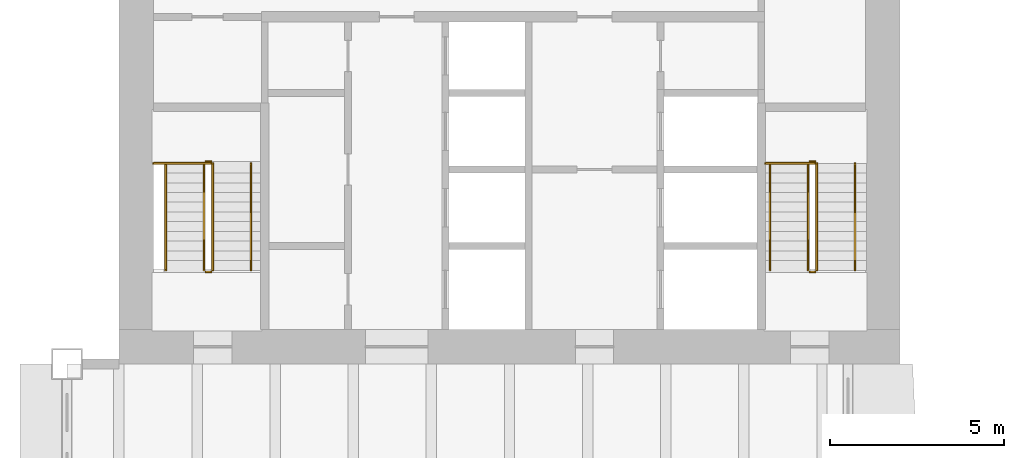
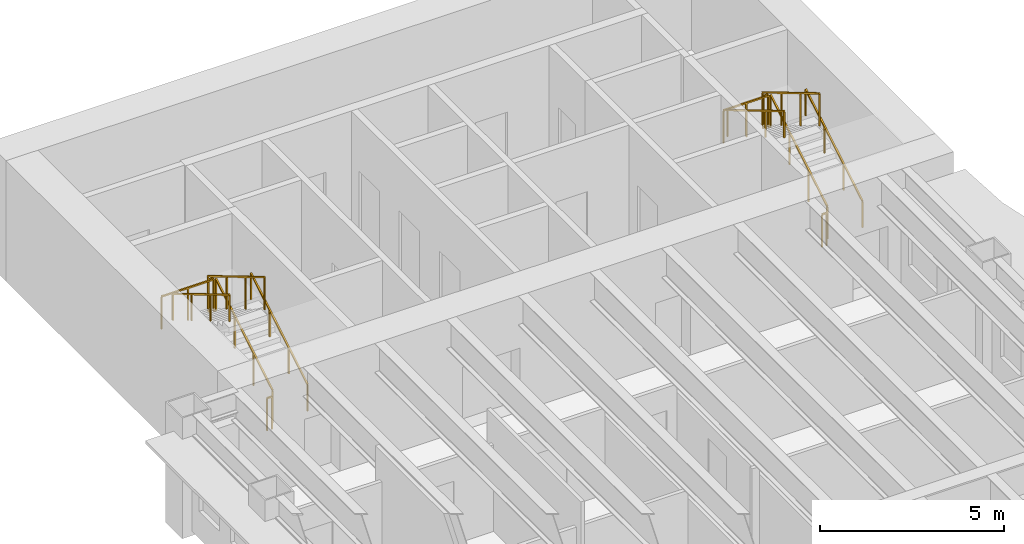
# One storey, part 16 of 16: 14 railings.
"""IFC4 building model written with IfcOpenShell, lengths in metres."""

from ifc_helpers import new_model, si_unit, direction, frame, origin, origin_2d, place, context, subcontext, project, spatial, rectangle, extrude, material, type_object, element, save


model = new_model("IFC4")

# Units and contexts
model_context = context("Model", 3, precision=1e-05, world=origin(), true_north=direction((0.0, 1.0)))
body_context = subcontext(model_context, "Body", "Model", "MODEL_VIEW")
ifc_project = project(units=[si_unit("LENGTHUNIT", "METRE"), si_unit("AREAUNIT", "SQUARE_METRE"), si_unit("VOLUMEUNIT", "CUBIC_METRE"), si_unit("PLANEANGLEUNIT", "RADIAN"), si_unit("MASSUNIT", "GRAM", prefix="KILO")], contexts=[model_context])

# Site, building, storey
site_placement = place(None, origin())
site = spatial("IfcSite", under=ifc_project, at=site_placement, CompositionType="ELEMENT")
building_placement = place(site_placement, origin())
building = spatial("IfcBuilding", under=site, at=building_placement, Name="Sennacour Bend Tower", CompositionType="ELEMENT")
storey_placement = place(building_placement, frame((0.0, 0.0, 167.0)))
storey = spatial("IfcBuildingStorey", under=building, at=storey_placement, Name="L38", CompositionType="ELEMENT", Elevation=167.0)

# Railings
ifc_material = material(Name="Stainless steel", Category="steel")
railing_type_1 = type_object("IfcRailingType", Name="RL-GUARD-1100", PredefinedType="GUARDRAIL", material=ifc_material)
railing_1_placement = place(storey_placement, frame((2.699951171875, 38.699951171875, 0.166748046875)))
element("IfcRailing", 1, at=railing_1_placement, inside=storey, type_object=railing_type_1, Name="L38 SB1 stair guard 1", PredefinedType="GUARDRAIL", context=body_context, shape_type="SweptSolid", body=[
    extrude(rectangle(XDim=0.048095703125, YDim=0.048095703125, at=origin_2d()), frame((0.0, 0.0, 1.076171875), z_axis=(0.0, 0.859308565015, 0.511457515432), x_axis=(-1.0, 0.0, 0.0)), (0.0, 0.0, 1.0), 3.58447265625),
    extrude(rectangle(XDim=0.0419921875, YDim=0.0419921875, at=origin_2d()), origin(), (0.0, 0.0, 1.0), 1.052001953125),
    extrude(rectangle(XDim=0.0419921875, YDim=0.0419921875, at=origin_2d()), frame((0.0, 1.026611328125, 0.611083984375)), (0.0, 0.0, 1.0), 1.052001953125),
    extrude(rectangle(XDim=0.0419921875, YDim=0.0419921875, at=origin_2d()), frame((0.0, 2.053466796875, 1.22216796875)), (0.0, 0.0, 1.0), 1.052001953125),
    extrude(rectangle(XDim=0.0419921875, YDim=0.0419921875, at=origin_2d()), frame((0.0, 3.080078125, 1.833251953125)), (0.0, 0.0, 1.0), 1.052001953125),
])
railing_2_placement = place(storey_placement, frame((2.64990234375, 41.830078125, 2.0)))
element("IfcRailing", 2, at=railing_2_placement, inside=storey, type_object=railing_type_1, Name="L38 SB1 stair guard 2", PredefinedType="GUARDRAIL", context=body_context, shape_type="SweptSolid", body=[
    extrude(rectangle(XDim=0.048095703125, YDim=0.048095703125, at=origin_2d()), frame((0.0, 0.0, 1.076171875), z_axis=(-1.0, 0.0, 0.0), x_axis=(0.0, -1.0, 0.0)), (0.0, 0.0, 1.0), 0.14990234375),
    extrude(rectangle(XDim=0.0419921875, YDim=0.0419921875, at=origin_2d()), origin(), (0.0, 0.0, 1.0), 1.052001953125),
    extrude(rectangle(XDim=0.0419921875, YDim=0.0419921875, at=origin_2d()), frame((-0.14990234375, 0.0, 0.0)), (0.0, 0.0, 1.0), 1.052001953125),
])
railing_3_placement = place(storey_placement, frame((2.449951171875, 41.780029296875, 2.166748046875)))
element("IfcRailing", 3, at=railing_3_placement, inside=storey, type_object=railing_type_1, Name="L38 SB1 stair guard 4", PredefinedType="GUARDRAIL", context=body_context, shape_type="SweptSolid", body=[
    extrude(rectangle(XDim=0.048095703125, YDim=0.048095703125, at=origin_2d()), frame((0.0, 0.0, 1.076171875), z_axis=(0.0, -0.859308565015, 0.511457515432), x_axis=(1.0, 0.0, 0.0)), (0.0, 0.0, 1.0), 3.58447265625),
    extrude(rectangle(XDim=0.0419921875, YDim=0.0419921875, at=origin_2d()), origin(), (0.0, 0.0, 1.0), 1.052001953125),
    extrude(rectangle(XDim=0.0419921875, YDim=0.0419921875, at=origin_2d()), frame((0.0, -1.026611328125, 0.611083984375)), (0.0, 0.0, 1.0), 1.052001953125),
    extrude(rectangle(XDim=0.0419921875, YDim=0.0419921875, at=origin_2d()), frame((0.0, -2.053466796875, 1.22216796875)), (0.0, 0.0, 1.0), 1.052001953125),
    extrude(rectangle(XDim=0.0419921875, YDim=0.0419921875, at=origin_2d()), frame((0.0, -3.080078125, 1.833251953125)), (0.0, 0.0, 1.0), 1.052001953125),
])
railing_4_placement = place(storey_placement, frame((2.64990234375, 38.64990234375, 0.0)))
element("IfcRailing", 4, at=railing_4_placement, inside=storey, type_object=railing_type_1, Name="L38 SB1 stair guard 5", PredefinedType="GUARDRAIL", context=body_context, shape_type="SweptSolid", body=[
    extrude(rectangle(XDim=0.048095703125, YDim=0.048095703125, at=origin_2d()), frame((0.0, 0.0, 1.076171875), z_axis=(-1.0, 0.0, 0.0), x_axis=(0.0, -1.0, 0.0)), (0.0, 0.0, 1.0), 0.14990234375),
    extrude(rectangle(XDim=0.0419921875, YDim=0.0419921875, at=origin_2d()), origin(), (0.0, 0.0, 1.0), 1.052001953125),
    extrude(rectangle(XDim=0.0419921875, YDim=0.0419921875, at=origin_2d()), frame((-0.14990234375, 0.0, 0.0)), (0.0, 0.0, 1.0), 1.052001953125),
])
railing_5_placement = place(storey_placement, frame((2.64990234375, 41.780029296875, 2.0)))
element("IfcRailing", 5, at=railing_5_placement, inside=storey, type_object=railing_type_1, Name="L38 SB1 landing edge guard 63", PredefinedType="GUARDRAIL", context=body_context, shape_type="SweptSolid", body=[
    extrude(rectangle(XDim=0.048095703125, YDim=0.048095703125, at=origin_2d()), frame((0.0, 0.0, 1.076171875), z_axis=(-1.0, 0.0, 0.0), x_axis=(0.0, -1.0, 0.0)), (0.0, 0.0, 1.0), 1.64990234375),
    extrude(rectangle(XDim=0.0419921875, YDim=0.0419921875, at=origin_2d()), origin(), (0.0, 0.0, 1.0), 1.052001953125),
    extrude(rectangle(XDim=0.0419921875, YDim=0.0419921875, at=origin_2d()), frame((-0.824951171875, 0.0, 0.0)), (0.0, 0.0, 1.0), 1.052001953125),
    extrude(rectangle(XDim=0.0419921875, YDim=0.0419921875, at=origin_2d()), frame((-1.64990234375, 0.0, 0.0)), (0.0, 0.0, 1.0), 1.052001953125),
])
railing_6_placement = place(storey_placement, frame((20.10009765625, 38.699951171875, 0.166748046875)))
element("IfcRailing", 6, at=railing_6_placement, inside=storey, type_object=railing_type_1, Name="L38 SB2 stair guard 1", PredefinedType="GUARDRAIL", context=body_context, shape_type="SweptSolid", body=[
    extrude(rectangle(XDim=0.048095703125, YDim=0.048095703125, at=origin_2d()), frame((0.0, 0.0, 1.076171875), z_axis=(0.0, 0.859308565015, 0.511457515432), x_axis=(-1.0, 0.0, 0.0)), (0.0, 0.0, 1.0), 3.58447265625),
    extrude(rectangle(XDim=0.0419921875, YDim=0.0419921875, at=origin_2d()), origin(), (0.0, 0.0, 1.0), 1.052001953125),
    extrude(rectangle(XDim=0.0419921875, YDim=0.0419921875, at=origin_2d()), frame((0.0, 1.026611328125, 0.611083984375)), (0.0, 0.0, 1.0), 1.052001953125),
    extrude(rectangle(XDim=0.0419921875, YDim=0.0419921875, at=origin_2d()), frame((0.0, 2.053466796875, 1.22216796875)), (0.0, 0.0, 1.0), 1.052001953125),
    extrude(rectangle(XDim=0.0419921875, YDim=0.0419921875, at=origin_2d()), frame((0.0, 3.080078125, 1.833251953125)), (0.0, 0.0, 1.0), 1.052001953125),
])
railing_7_placement = place(storey_placement, frame((20.050048828125, 41.830078125, 2.0)))
element("IfcRailing", 7, at=railing_7_placement, inside=storey, type_object=railing_type_1, Name="L38 SB2 stair guard 2", PredefinedType="GUARDRAIL", context=body_context, shape_type="SweptSolid", body=[
    extrude(rectangle(XDim=0.048095703125, YDim=0.048095703125, at=origin_2d()), frame((0.0, 0.0, 1.076171875), z_axis=(-1.0, 0.0, 0.0), x_axis=(0.0, -1.0, 0.0)), (0.0, 0.0, 1.0), 0.150146484375),
    extrude(rectangle(XDim=0.0419921875, YDim=0.0419921875, at=origin_2d()), origin(), (0.0, 0.0, 1.0), 1.052001953125),
    extrude(rectangle(XDim=0.0419921875, YDim=0.0419921875, at=origin_2d()), frame((-0.150146484375, 0.0, 0.0)), (0.0, 0.0, 1.0), 1.052001953125),
])
railing_8_placement = place(storey_placement, frame((19.85009765625, 41.780029296875, 2.166748046875)))
element("IfcRailing", 8, at=railing_8_placement, inside=storey, type_object=railing_type_1, Name="L38 SB2 stair guard 4", PredefinedType="GUARDRAIL", context=body_context, shape_type="SweptSolid", body=[
    extrude(rectangle(XDim=0.048095703125, YDim=0.048095703125, at=origin_2d()), frame((0.0, 0.0, 1.076171875), z_axis=(0.0, -0.859308565015, 0.511457515432), x_axis=(1.0, 0.0, 0.0)), (0.0, 0.0, 1.0), 3.58447265625),
    extrude(rectangle(XDim=0.0419921875, YDim=0.0419921875, at=origin_2d()), origin(), (0.0, 0.0, 1.0), 1.052001953125),
    extrude(rectangle(XDim=0.0419921875, YDim=0.0419921875, at=origin_2d()), frame((0.0, -1.026611328125, 0.611083984375)), (0.0, 0.0, 1.0), 1.052001953125),
    extrude(rectangle(XDim=0.0419921875, YDim=0.0419921875, at=origin_2d()), frame((0.0, -2.053466796875, 1.22216796875)), (0.0, 0.0, 1.0), 1.052001953125),
    extrude(rectangle(XDim=0.0419921875, YDim=0.0419921875, at=origin_2d()), frame((0.0, -3.080078125, 1.833251953125)), (0.0, 0.0, 1.0), 1.052001953125),
])
railing_9_placement = place(storey_placement, frame((20.050048828125, 38.64990234375, 0.0)))
element("IfcRailing", 9, at=railing_9_placement, inside=storey, type_object=railing_type_1, Name="L38 SB2 stair guard 5", PredefinedType="GUARDRAIL", context=body_context, shape_type="SweptSolid", body=[
    extrude(rectangle(XDim=0.048095703125, YDim=0.048095703125, at=origin_2d()), frame((0.0, 0.0, 1.076171875), z_axis=(-1.0, 0.0, 0.0), x_axis=(0.0, -1.0, 0.0)), (0.0, 0.0, 1.0), 0.150146484375),
    extrude(rectangle(XDim=0.0419921875, YDim=0.0419921875, at=origin_2d()), origin(), (0.0, 0.0, 1.0), 1.052001953125),
    extrude(rectangle(XDim=0.0419921875, YDim=0.0419921875, at=origin_2d()), frame((-0.150146484375, 0.0, 0.0)), (0.0, 0.0, 1.0), 1.052001953125),
])
railing_10_placement = place(storey_placement, frame((20.050048828125, 41.780029296875, 2.0)))
element("IfcRailing", 10, at=railing_10_placement, inside=storey, type_object=railing_type_1, Name="L38 SB2 landing edge guard 53", PredefinedType="GUARDRAIL", context=body_context, shape_type="SweptSolid", body=[
    extrude(rectangle(XDim=0.048095703125, YDim=0.048095703125, at=origin_2d()), frame((0.0, 0.0, 1.076171875), z_axis=(-1.0, 0.0, 0.0), x_axis=(0.0, -1.0, 0.0)), (0.0, 0.0, 1.0), 1.425048828125),
    extrude(rectangle(XDim=0.0419921875, YDim=0.0419921875, at=origin_2d()), origin(), (0.0, 0.0, 1.0), 1.052001953125),
    extrude(rectangle(XDim=0.0419921875, YDim=0.0419921875, at=origin_2d()), frame((-0.71240234375, 0.0, 0.0)), (0.0, 0.0, 1.0), 1.052001953125),
    extrude(rectangle(XDim=0.0419921875, YDim=0.0419921875, at=origin_2d()), frame((-1.425048828125, 0.0, 0.0)), (0.0, 0.0, 1.0), 1.052001953125),
])
railing_type_2 = type_object("IfcRailingType", Name="RL-HANDRAIL-900", PredefinedType="HANDRAIL", material=ifc_material)
railing_11_placement = place(storey_placement, frame((3.800048828125, 38.699951171875, 0.166748046875)))
element("IfcRailing", 11, at=railing_11_placement, inside=storey, type_object=railing_type_2, Name="L38 SB1 stair handrail 1", PredefinedType="HANDRAIL", context=body_context, shape_type="SweptSolid", body=[
    extrude(rectangle(XDim=0.048095703125, YDim=0.048095703125, at=origin_2d()), frame((0.0, 0.0, 0.8759765625), z_axis=(0.0, 0.859308565015, 0.511457515432), x_axis=(-1.0, 0.0, 0.0)), (0.0, 0.0, 1.0), 3.58447265625),
    extrude(rectangle(XDim=0.0419921875, YDim=0.0419921875, at=origin_2d()), origin(), (0.0, 0.0, 1.0), 0.851806640625),
    extrude(rectangle(XDim=0.0419921875, YDim=0.0419921875, at=origin_2d()), frame((0.0, 1.026611328125, 0.611083984375)), (0.0, 0.0, 1.0), 0.851806640625),
    extrude(rectangle(XDim=0.0419921875, YDim=0.0419921875, at=origin_2d()), frame((0.0, 2.053466796875, 1.22216796875)), (0.0, 0.0, 1.0), 0.851806640625),
    extrude(rectangle(XDim=0.0419921875, YDim=0.0419921875, at=origin_2d()), frame((0.0, 3.080078125, 1.833251953125)), (0.0, 0.0, 1.0), 0.851806640625),
])
railing_12_placement = place(storey_placement, frame((1.35009765625, 41.780029296875, 2.166748046875)))
element("IfcRailing", 12, at=railing_12_placement, inside=storey, type_object=railing_type_2, Name="L38 SB1 stair handrail 2", PredefinedType="HANDRAIL", context=body_context, shape_type="SweptSolid", body=[
    extrude(rectangle(XDim=0.048095703125, YDim=0.048095703125, at=origin_2d()), frame((0.0, 0.0, 0.8759765625), z_axis=(0.0, -0.859308565015, 0.511457515432), x_axis=(1.0, 0.0, 0.0)), (0.0, 0.0, 1.0), 3.58447265625),
    extrude(rectangle(XDim=0.0419921875, YDim=0.0419921875, at=origin_2d()), origin(), (0.0, 0.0, 1.0), 0.851806640625),
    extrude(rectangle(XDim=0.0419921875, YDim=0.0419921875, at=origin_2d()), frame((0.0, -1.026611328125, 0.611083984375)), (0.0, 0.0, 1.0), 0.851806640625),
    extrude(rectangle(XDim=0.0419921875, YDim=0.0419921875, at=origin_2d()), frame((0.0, -2.053466796875, 1.22216796875)), (0.0, 0.0, 1.0), 0.851806640625),
    extrude(rectangle(XDim=0.0419921875, YDim=0.0419921875, at=origin_2d()), frame((0.0, -3.080078125, 1.833251953125)), (0.0, 0.0, 1.0), 0.851806640625),
])
railing_13_placement = place(storey_placement, frame((21.199951171875, 38.699951171875, 0.166748046875)))
element("IfcRailing", 13, at=railing_13_placement, inside=storey, type_object=railing_type_2, Name="L38 SB2 stair handrail 1", PredefinedType="HANDRAIL", context=body_context, shape_type="SweptSolid", body=[
    extrude(rectangle(XDim=0.048095703125, YDim=0.048095703125, at=origin_2d()), frame((0.0, 0.0, 0.8759765625), z_axis=(0.0, 0.859308565015, 0.511457515432), x_axis=(-1.0, 0.0, 0.0)), (0.0, 0.0, 1.0), 3.58447265625),
    extrude(rectangle(XDim=0.0419921875, YDim=0.0419921875, at=origin_2d()), origin(), (0.0, 0.0, 1.0), 0.851806640625),
    extrude(rectangle(XDim=0.0419921875, YDim=0.0419921875, at=origin_2d()), frame((0.0, 1.026611328125, 0.611083984375)), (0.0, 0.0, 1.0), 0.851806640625),
    extrude(rectangle(XDim=0.0419921875, YDim=0.0419921875, at=origin_2d()), frame((0.0, 2.053466796875, 1.22216796875)), (0.0, 0.0, 1.0), 0.851806640625),
    extrude(rectangle(XDim=0.0419921875, YDim=0.0419921875, at=origin_2d()), frame((0.0, 3.080078125, 1.833251953125)), (0.0, 0.0, 1.0), 0.851806640625),
])
railing_14_placement = place(storey_placement, frame((18.75, 41.780029296875, 2.166748046875)))
element("IfcRailing", 14, at=railing_14_placement, inside=storey, type_object=railing_type_2, Name="L38 SB2 stair handrail 2", PredefinedType="HANDRAIL", context=body_context, shape_type="SweptSolid", body=[
    extrude(rectangle(XDim=0.048095703125, YDim=0.048095703125, at=origin_2d()), frame((0.0, 0.0, 0.8759765625), z_axis=(0.0, -0.859308565015, 0.511457515432), x_axis=(1.0, 0.0, 0.0)), (0.0, 0.0, 1.0), 3.58447265625),
    extrude(rectangle(XDim=0.0419921875, YDim=0.0419921875, at=origin_2d()), origin(), (0.0, 0.0, 1.0), 0.851806640625),
    extrude(rectangle(XDim=0.0419921875, YDim=0.0419921875, at=origin_2d()), frame((0.0, -1.026611328125, 0.611083984375)), (0.0, 0.0, 1.0), 0.851806640625),
    extrude(rectangle(XDim=0.0419921875, YDim=0.0419921875, at=origin_2d()), frame((0.0, -2.053466796875, 1.22216796875)), (0.0, 0.0, 1.0), 0.851806640625),
    extrude(rectangle(XDim=0.0419921875, YDim=0.0419921875, at=origin_2d()), frame((0.0, -3.080078125, 1.833251953125)), (0.0, 0.0, 1.0), 0.851806640625),
])

save(model, "model.ifc")
